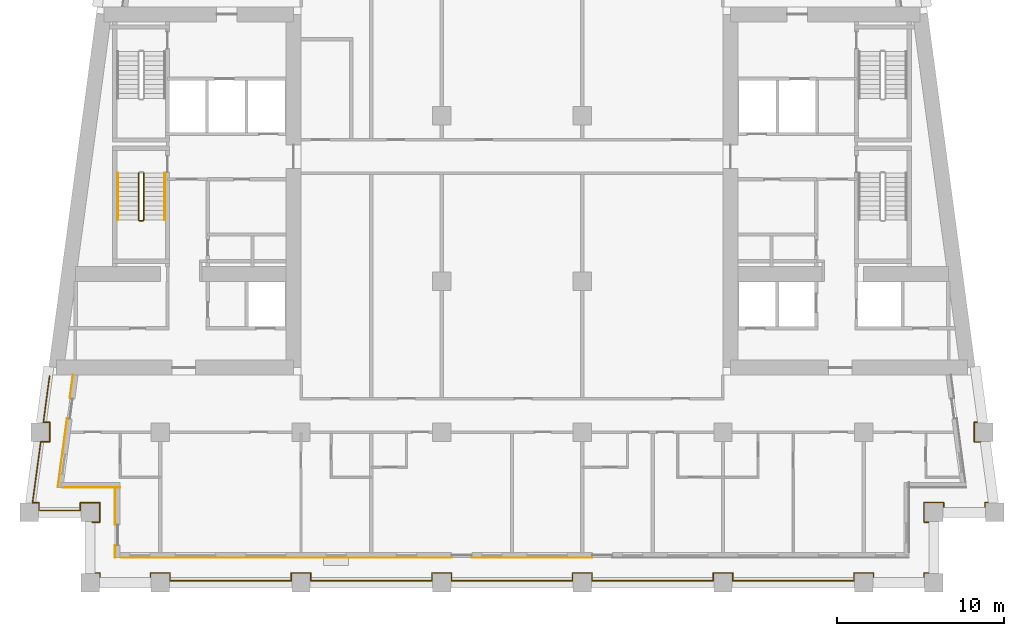
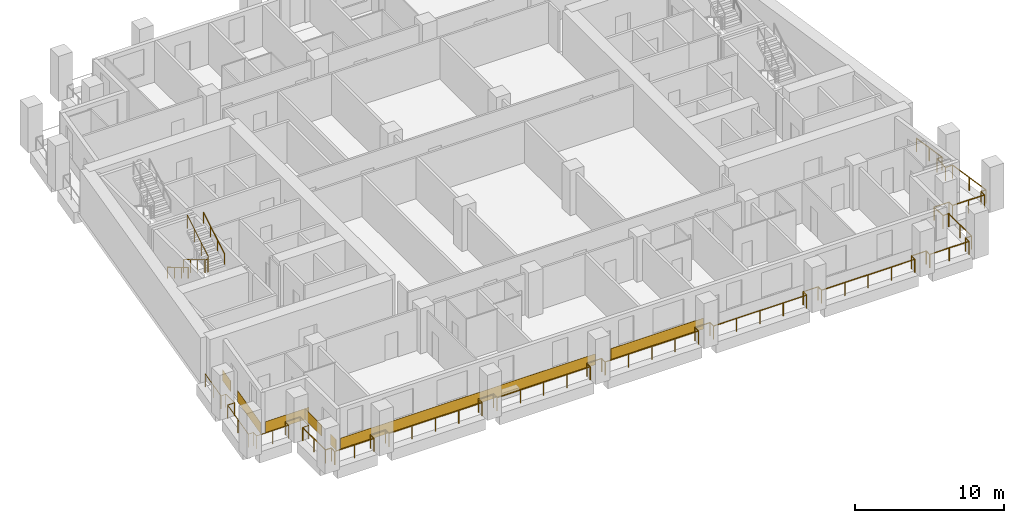
# One storey, part 8 of 12: 7 coverings, 5 railings.
"""IFC4 building model written with IfcOpenShell, lengths in metres."""

from ifc_helpers import new_model, si_unit, direction, frame, origin, origin_2d, place, context, subcontext, project, spatial, rectangle, circle, extrude, material, layer, layer_set, type_object, element, save


model = new_model("IFC4")

# Units and contexts
model_context = context("Model", 3, precision=1e-05, world=origin(), true_north=direction((0.0, 1.0)))
body_context = subcontext(model_context, "Body", "Model", "MODEL_VIEW")
ifc_project = project(units=[si_unit("LENGTHUNIT", "METRE"), si_unit("AREAUNIT", "SQUARE_METRE"), si_unit("VOLUMEUNIT", "CUBIC_METRE"), si_unit("PLANEANGLEUNIT", "RADIAN"), si_unit("MASSUNIT", "GRAM", prefix="KILO")], contexts=[model_context])

# Site, building, storey
site_placement = place(None, origin())
site = spatial("IfcSite", under=ifc_project, at=site_placement, CompositionType="ELEMENT")
building_placement = place(site_placement, origin())
building = spatial("IfcBuilding", under=site, at=building_placement, Name="Candeia Pilgrim Tower and Theatre", CompositionType="ELEMENT")
storey_placement = place(building_placement, frame((0.0, 0.0, 184.800048828125)))
storey = spatial("IfcBuildingStorey", under=building, at=storey_placement, Name="L44", CompositionType="ELEMENT", Elevation=184.800048828125)

# Railings
ifc_material_1 = material(Name="Stainless steel balustrade", Category="steel")
railing_type_1 = type_object("IfcRailingType", Name="G1 loggia guard 1100", PredefinedType="GUARDRAIL", material=ifc_material_1)
railing_1_placement = place(storey_placement, frame((88.320068359375, 101.6201171875, 0.0)))
element("IfcRailing", 1, at=railing_1_placement, inside=storey, type_object=railing_type_1, Name="Guard L44.1", PredefinedType="GUARDRAIL", context=body_context, shape_type="SweptSolid", body=[
    extrude(circle(Radius=0.02392578125, at=origin_2d()), frame((0.0, 0.0, 1.076171875), z_axis=(1.0, 0.0, 0.0), x_axis=(0.0, 1.0, 0.0)), (0.0, 0.0, 1.0), 0.4599609375),
    extrude(circle(Radius=0.02392578125, at=origin_2d()), frame((0.4599609375, 0.0, 1.076171875), z_axis=(0.0, 1.0, 0.0), x_axis=(-1.0, 0.0, 0.0)), (0.0, 0.0, 1.0), 1.159912109375),
    extrude(circle(Radius=0.02392578125, at=origin_2d()), frame((0.4599609375, 1.159912109375, 1.076171875), z_axis=(-1.0, 0.0, 0.0), x_axis=(0.0, -1.0, 0.0)), (0.0, 0.0, 1.0), 1.159912109375),
    extrude(circle(Radius=0.02392578125, at=origin_2d()), frame((-0.699951171875, 1.159912109375, 1.076171875), z_axis=(0.0, -1.0, 0.0), x_axis=(1.0, 0.0, 0.0)), (0.0, 0.0, 1.0), 0.4599609375),
    extrude(circle(Radius=0.02392578125, at=origin_2d()), frame((-0.699951171875, 0.699951171875, 1.076171875), z_axis=(-1.0, 0.0, 0.0), x_axis=(0.0, -1.0, 0.0)), (0.0, 0.0, 1.0), 2.474853515625),
    extrude(circle(Radius=0.02392578125, at=origin_2d()), frame((-3.1748046875, 0.699951171875, 1.076171875), z_axis=(0.0, 1.0, 0.0), x_axis=(-1.0, 0.0, 0.0)), (0.0, 0.0, 1.0), 0.4599609375),
    extrude(circle(Radius=0.02392578125, at=origin_2d()), frame((-3.1748046875, 1.159912109375, 1.076171875), z_axis=(-1.0, 0.0, 0.0), x_axis=(0.0, -1.0, 0.0)), (0.0, 0.0, 1.0), 0.380615234375),
    extrude(circle(Radius=0.02392578125, at=origin_2d()), frame((-3.555419921875, 1.159912109375, 1.076171875), z_axis=(0.133413267734, 0.9910604926, 0.0), x_axis=(-0.9910604926, 0.133413267734, 0.0)), (0.0, 0.0, 1.0), 3.672607421875),
    extrude(circle(Radius=0.02392578125, at=origin_2d()), frame((-3.0654296875, 4.7998046875, 1.076171875), z_axis=(1.0, 0.0, 0.0), x_axis=(0.0, 1.0, 0.0)), (0.0, 0.0, 1.0), 0.536865234375),
    extrude(circle(Radius=0.02392578125, at=origin_2d()), frame((-2.528564453125, 4.7998046875, 1.076171875), z_axis=(0.0, 1.0, 0.0), x_axis=(-1.0, 0.0, 0.0)), (0.0, 0.0, 1.0), 1.16015625),
    extrude(circle(Radius=0.02392578125, at=origin_2d()), frame((-2.528564453125, 5.9599609375, 1.076171875), z_axis=(-1.0, 0.0, 0.0), x_axis=(0.0, -1.0, 0.0)), (0.0, 0.0, 1.0), 0.380859375),
    extrude(circle(Radius=0.02392578125, at=origin_2d()), frame((-2.909423828125, 5.9599609375, 1.076171875), z_axis=(0.133468107709, 0.99105310868, 0.0), x_axis=(-0.99105310868, 0.133468107709, 0.0)), (0.0, 0.0, 1.0), 2.794921875),
    extrude(circle(Radius=0.02099609375, at=origin_2d()), origin(), (0.0, 0.0, 1.0), 1.052001953125),
    extrude(circle(Radius=0.02099609375, at=origin_2d()), frame((0.4599609375, 0.0, 0.0)), (0.0, 0.0, 1.0), 1.052001953125),
    extrude(circle(Radius=0.02099609375, at=origin_2d()), frame((0.4599609375, 1.159912109375, 0.0)), (0.0, 0.0, 1.0), 1.052001953125),
    extrude(circle(Radius=0.02099609375, at=origin_2d()), frame((-0.699951171875, 1.159912109375, 0.0)), (0.0, 0.0, 1.0), 1.052001953125),
    extrude(circle(Radius=0.02099609375, at=origin_2d()), frame((-0.699951171875, 0.699951171875, 0.0)), (0.0, 0.0, 1.0), 1.052001953125),
    extrude(circle(Radius=0.02099609375, at=origin_2d()), frame((-1.9375, 0.699951171875, 0.0)), (0.0, 0.0, 1.0), 1.052001953125),
    extrude(circle(Radius=0.02099609375, at=origin_2d()), frame((-3.1748046875, 0.699951171875, 0.0)), (0.0, 0.0, 1.0), 1.052001953125),
    extrude(circle(Radius=0.02099609375, at=origin_2d()), frame((-3.1748046875, 1.159912109375, 0.0)), (0.0, 0.0, 1.0), 1.052001953125),
    extrude(circle(Radius=0.02099609375, at=origin_2d()), frame((-3.555419921875, 1.159912109375, 0.0)), (0.0, 0.0, 1.0), 1.052001953125),
    extrude(circle(Radius=0.02099609375, at=origin_2d()), frame((-3.310546875, 2.97998046875, 0.0)), (0.0, 0.0, 1.0), 1.052001953125),
    extrude(circle(Radius=0.02099609375, at=origin_2d()), frame((-3.0654296875, 4.7998046875, 0.0)), (0.0, 0.0, 1.0), 1.052001953125),
    extrude(circle(Radius=0.02099609375, at=origin_2d()), frame((-2.528564453125, 4.7998046875, 0.0)), (0.0, 0.0, 1.0), 1.052001953125),
    extrude(circle(Radius=0.02099609375, at=origin_2d()), frame((-2.528564453125, 5.9599609375, 0.0)), (0.0, 0.0, 1.0), 1.052001953125),
    extrude(circle(Radius=0.02099609375, at=origin_2d()), frame((-2.909423828125, 5.9599609375, 0.0)), (0.0, 0.0, 1.0), 1.052001953125),
    extrude(circle(Radius=0.02099609375, at=origin_2d()), frame((-2.722900390625, 7.344970703125, 0.0)), (0.0, 0.0, 1.0), 1.052001953125),
    extrude(circle(Radius=0.02099609375, at=origin_2d()), frame((-2.536376953125, 8.72998046875, 0.0)), (0.0, 0.0, 1.0), 1.052001953125),
])
railing_2_placement = place(storey_placement, frame((141.016357421875, 110.35009765625, 0.0)))
element("IfcRailing", 2, at=railing_2_placement, inside=storey, type_object=railing_type_1, Name="Guard L44.4", PredefinedType="GUARDRAIL", context=body_context, shape_type="SweptSolid", body=[
    extrude(circle(Radius=0.02392578125, at=origin_2d()), frame((0.0, 0.0, 1.076171875), z_axis=(0.133468107709, -0.99105310868, 0.0), x_axis=(0.99105310868, 0.133468107709, 0.0)), (0.0, 0.0, 1.0), 2.794921875),
    extrude(circle(Radius=0.02392578125, at=origin_2d()), frame((0.373046875, -2.77001953125, 1.076171875), z_axis=(-1.0, 0.0, 0.0), x_axis=(0.0, -1.0, 0.0)), (0.0, 0.0, 1.0), 0.380859375),
    extrude(circle(Radius=0.02392578125, at=origin_2d()), frame((-0.0078125, -2.77001953125, 1.076171875), z_axis=(0.0, -1.0, 0.0), x_axis=(1.0, 0.0, 0.0)), (0.0, 0.0, 1.0), 1.16015625),
    extrude(circle(Radius=0.02392578125, at=origin_2d()), frame((-0.0078125, -3.93017578125, 1.076171875), z_axis=(1.0, 0.0, 0.0), x_axis=(0.0, 1.0, 0.0)), (0.0, 0.0, 1.0), 0.536865234375),
    extrude(circle(Radius=0.02392578125, at=origin_2d()), frame((0.529052734375, -3.93017578125, 1.076171875), z_axis=(0.133413267734, -0.9910604926, 0.0), x_axis=(0.9910604926, 0.133413267734, 0.0)), (0.0, 0.0, 1.0), 3.672607421875),
    extrude(circle(Radius=0.02392578125, at=origin_2d()), frame((1.01904296875, -7.570068359375, 1.076171875), z_axis=(-1.0, 0.0, 0.0), x_axis=(0.0, -1.0, 0.0)), (0.0, 0.0, 1.0), 0.380859375),
    extrude(circle(Radius=0.02392578125, at=origin_2d()), frame((0.63818359375, -7.570068359375, 1.076171875), z_axis=(0.0, -1.0, 0.0), x_axis=(1.0, 0.0, 0.0)), (0.0, 0.0, 1.0), 0.4599609375),
    extrude(circle(Radius=0.02392578125, at=origin_2d()), frame((0.63818359375, -8.030029296875, 1.076171875), z_axis=(-1.0, 0.0, 0.0), x_axis=(0.0, -1.0, 0.0)), (0.0, 0.0, 1.0), 2.474609375),
    extrude(circle(Radius=0.02392578125, at=origin_2d()), frame((-1.83642578125, -8.030029296875, 1.076171875), z_axis=(0.0, 1.0, 0.0), x_axis=(-1.0, 0.0, 0.0)), (0.0, 0.0, 1.0), 0.4599609375),
    extrude(circle(Radius=0.02392578125, at=origin_2d()), frame((-1.83642578125, -7.570068359375, 1.076171875), z_axis=(-1.0, 0.0, 0.0), x_axis=(0.0, -1.0, 0.0)), (0.0, 0.0, 1.0), 1.159912109375),
    extrude(circle(Radius=0.02392578125, at=origin_2d()), frame((-2.996337890625, -7.570068359375, 1.076171875), z_axis=(0.0, -1.0, 0.0), x_axis=(1.0, 0.0, 0.0)), (0.0, 0.0, 1.0), 1.159912109375),
    extrude(circle(Radius=0.02392578125, at=origin_2d()), frame((-2.996337890625, -8.72998046875, 1.076171875), z_axis=(1.0, 0.0, 0.0), x_axis=(0.0, 1.0, 0.0)), (0.0, 0.0, 1.0), 0.4599609375),
    extrude(circle(Radius=0.02392578125, at=origin_2d()), frame((-2.536376953125, -8.72998046875, 1.076171875), z_axis=(0.0, -1.0, 0.0), x_axis=(1.0, 0.0, 0.0)), (0.0, 0.0, 1.0), 3.0400390625),
    extrude(circle(Radius=0.02392578125, at=origin_2d()), frame((-2.536376953125, -11.77001953125, 1.076171875), z_axis=(-1.0, 0.0, 0.0), x_axis=(0.0, -1.0, 0.0)), (0.0, 0.0, 1.0), 0.4599609375),
    extrude(circle(Radius=0.02392578125, at=origin_2d()), frame((-2.996337890625, -11.77001953125, 1.076171875), z_axis=(0.0, -1.0, 0.0), x_axis=(1.0, 0.0, 0.0)), (0.0, 0.0, 1.0), 0.4599609375),
    extrude(circle(Radius=0.02392578125, at=origin_2d()), frame((-2.996337890625, -12.22998046875, 1.076171875), z_axis=(-1.0, 0.0, 0.0), x_axis=(0.0, -1.0, 0.0)), (0.0, 0.0, 1.0), 3.0400390625),
    extrude(circle(Radius=0.02392578125, at=origin_2d()), frame((-6.036376953125, -12.22998046875, 1.076171875), z_axis=(0.0, 1.0, 0.0), x_axis=(-1.0, 0.0, 0.0)), (0.0, 0.0, 1.0), 0.4599609375),
    extrude(circle(Radius=0.02392578125, at=origin_2d()), frame((-6.036376953125, -11.77001953125, 1.076171875), z_axis=(-1.0, 0.0, 0.0), x_axis=(0.0, -1.0, 0.0)), (0.0, 0.0, 1.0), 1.159912109375),
    extrude(circle(Radius=0.02392578125, at=origin_2d()), frame((-7.1962890625, -11.77001953125, 1.076171875), z_axis=(0.0, -1.0, 0.0), x_axis=(1.0, 0.0, 0.0)), (0.0, 0.0, 1.0), 0.4599609375),
    extrude(circle(Radius=0.02392578125, at=origin_2d()), frame((-7.1962890625, -12.22998046875, 1.076171875), z_axis=(-1.0, 0.0, 0.0), x_axis=(0.0, -1.0, 0.0)), (0.0, 0.0, 1.0), 7.239990234375),
    extrude(circle(Radius=0.02392578125, at=origin_2d()), frame((-14.436279296875, -12.22998046875, 1.076171875), z_axis=(0.0, 1.0, 0.0), x_axis=(-1.0, 0.0, 0.0)), (0.0, 0.0, 1.0), 0.4599609375),
    extrude(circle(Radius=0.02392578125, at=origin_2d()), frame((-14.436279296875, -11.77001953125, 1.076171875), z_axis=(-1.0, 0.0, 0.0), x_axis=(0.0, -1.0, 0.0)), (0.0, 0.0, 1.0), 1.16015625),
    extrude(circle(Radius=0.02392578125, at=origin_2d()), frame((-15.596435546875, -11.77001953125, 1.076171875), z_axis=(0.0, -1.0, 0.0), x_axis=(1.0, 0.0, 0.0)), (0.0, 0.0, 1.0), 0.4599609375),
    extrude(circle(Radius=0.02392578125, at=origin_2d()), frame((-15.596435546875, -12.22998046875, 1.076171875), z_axis=(-1.0, 0.0, 0.0), x_axis=(0.0, -1.0, 0.0)), (0.0, 0.0, 1.0), 7.239990234375),
    extrude(circle(Radius=0.02392578125, at=origin_2d()), frame((-22.83642578125, -12.22998046875, 1.076171875), z_axis=(0.0, 1.0, 0.0), x_axis=(-1.0, 0.0, 0.0)), (0.0, 0.0, 1.0), 0.4599609375),
    extrude(circle(Radius=0.02392578125, at=origin_2d()), frame((-22.83642578125, -11.77001953125, 1.076171875), z_axis=(-1.0, 0.0, 0.0), x_axis=(0.0, -1.0, 0.0)), (0.0, 0.0, 1.0), 1.159912109375),
    extrude(circle(Radius=0.02392578125, at=origin_2d()), frame((-23.996337890625, -11.77001953125, 1.076171875), z_axis=(0.0, -1.0, 0.0), x_axis=(1.0, 0.0, 0.0)), (0.0, 0.0, 1.0), 0.4599609375),
    extrude(circle(Radius=0.02392578125, at=origin_2d()), frame((-23.996337890625, -12.22998046875, 1.076171875), z_axis=(-1.0, 0.0, 0.0), x_axis=(0.0, -1.0, 0.0)), (0.0, 0.0, 1.0), 7.239990234375),
    extrude(circle(Radius=0.02392578125, at=origin_2d()), frame((-31.236328125, -12.22998046875, 1.076171875), z_axis=(0.0, 1.0, 0.0), x_axis=(-1.0, 0.0, 0.0)), (0.0, 0.0, 1.0), 0.4599609375),
    extrude(circle(Radius=0.02392578125, at=origin_2d()), frame((-31.236328125, -11.77001953125, 1.076171875), z_axis=(-1.0, 0.0, 0.0), x_axis=(0.0, -1.0, 0.0)), (0.0, 0.0, 1.0), 1.159912109375),
    extrude(circle(Radius=0.02392578125, at=origin_2d()), frame((-32.396240234375, -11.77001953125, 1.076171875), z_axis=(0.0, -1.0, 0.0), x_axis=(1.0, 0.0, 0.0)), (0.0, 0.0, 1.0), 0.4599609375),
    extrude(circle(Radius=0.02392578125, at=origin_2d()), frame((-32.396240234375, -12.22998046875, 1.076171875), z_axis=(-1.0, 0.0, 0.0), x_axis=(0.0, -1.0, 0.0)), (0.0, 0.0, 1.0), 7.240234375),
    extrude(circle(Radius=0.02392578125, at=origin_2d()), frame((-39.636474609375, -12.22998046875, 1.076171875), z_axis=(0.0, 1.0, 0.0), x_axis=(-1.0, 0.0, 0.0)), (0.0, 0.0, 1.0), 0.4599609375),
    extrude(circle(Radius=0.02392578125, at=origin_2d()), frame((-39.636474609375, -11.77001953125, 1.076171875), z_axis=(-1.0, 0.0, 0.0), x_axis=(0.0, -1.0, 0.0)), (0.0, 0.0, 1.0), 1.159912109375),
    extrude(circle(Radius=0.02392578125, at=origin_2d()), frame((-40.79638671875, -11.77001953125, 1.076171875), z_axis=(0.0, -1.0, 0.0), x_axis=(1.0, 0.0, 0.0)), (0.0, 0.0, 1.0), 0.4599609375),
    extrude(circle(Radius=0.02392578125, at=origin_2d()), frame((-40.79638671875, -12.22998046875, 1.076171875), z_axis=(-1.0, 0.0, 0.0), x_axis=(0.0, -1.0, 0.0)), (0.0, 0.0, 1.0), 7.239990234375),
    extrude(circle(Radius=0.02392578125, at=origin_2d()), frame((-48.036376953125, -12.22998046875, 1.076171875), z_axis=(0.0, 1.0, 0.0), x_axis=(-1.0, 0.0, 0.0)), (0.0, 0.0, 1.0), 0.4599609375),
    extrude(circle(Radius=0.02392578125, at=origin_2d()), frame((-48.036376953125, -11.77001953125, 1.076171875), z_axis=(-1.0, 0.0, 0.0), x_axis=(0.0, -1.0, 0.0)), (0.0, 0.0, 1.0), 1.159912109375),
    extrude(circle(Radius=0.02392578125, at=origin_2d()), frame((-49.1962890625, -11.77001953125, 1.076171875), z_axis=(0.0, -1.0, 0.0), x_axis=(1.0, 0.0, 0.0)), (0.0, 0.0, 1.0), 0.4599609375),
    extrude(circle(Radius=0.02392578125, at=origin_2d()), frame((-49.1962890625, -12.22998046875, 1.076171875), z_axis=(-1.0, 0.0, 0.0), x_axis=(0.0, -1.0, 0.0)), (0.0, 0.0, 1.0), 3.0400390625),
    extrude(circle(Radius=0.02392578125, at=origin_2d()), frame((-52.236328125, -12.22998046875, 1.076171875), z_axis=(0.0, 1.0, 0.0), x_axis=(-1.0, 0.0, 0.0)), (0.0, 0.0, 1.0), 0.4599609375),
    extrude(circle(Radius=0.02392578125, at=origin_2d()), frame((-52.236328125, -11.77001953125, 1.076171875), z_axis=(-1.0, 0.0, 0.0), x_axis=(0.0, -1.0, 0.0)), (0.0, 0.0, 1.0), 0.4599609375),
    extrude(circle(Radius=0.02392578125, at=origin_2d()), frame((-52.6962890625, -11.77001953125, 1.076171875), z_axis=(0.0, 1.0, 0.0), x_axis=(-1.0, 0.0, 0.0)), (0.0, 0.0, 1.0), 3.0400390625),
    extrude(circle(Radius=0.02099609375, at=origin_2d()), origin(), (0.0, 0.0, 1.0), 1.052001953125),
    extrude(circle(Radius=0.02099609375, at=origin_2d()), frame((0.1865234375, -1.385009765625, 0.0)), (0.0, 0.0, 1.0), 1.052001953125),
    extrude(circle(Radius=0.02099609375, at=origin_2d()), frame((0.373046875, -2.77001953125, 0.0)), (0.0, 0.0, 1.0), 1.052001953125),
    extrude(circle(Radius=0.02099609375, at=origin_2d()), frame((-0.0078125, -2.77001953125, 0.0)), (0.0, 0.0, 1.0), 1.052001953125),
    extrude(circle(Radius=0.02099609375, at=origin_2d()), frame((-0.0078125, -3.93017578125, 0.0)), (0.0, 0.0, 1.0), 1.052001953125),
    extrude(circle(Radius=0.02099609375, at=origin_2d()), frame((0.529052734375, -3.93017578125, 0.0)), (0.0, 0.0, 1.0), 1.052001953125),
    extrude(circle(Radius=0.02099609375, at=origin_2d()), frame((0.77392578125, -5.75, 0.0)), (0.0, 0.0, 1.0), 1.052001953125),
    extrude(circle(Radius=0.02099609375, at=origin_2d()), frame((1.01904296875, -7.570068359375, 0.0)), (0.0, 0.0, 1.0), 1.052001953125),
    extrude(circle(Radius=0.02099609375, at=origin_2d()), frame((0.63818359375, -7.570068359375, 0.0)), (0.0, 0.0, 1.0), 1.052001953125),
    extrude(circle(Radius=0.02099609375, at=origin_2d()), frame((0.63818359375, -8.030029296875, 0.0)), (0.0, 0.0, 1.0), 1.052001953125),
    extrude(circle(Radius=0.02099609375, at=origin_2d()), frame((-0.59912109375, -8.030029296875, 0.0)), (0.0, 0.0, 1.0), 1.052001953125),
    extrude(circle(Radius=0.02099609375, at=origin_2d()), frame((-1.83642578125, -8.030029296875, 0.0)), (0.0, 0.0, 1.0), 1.052001953125),
    extrude(circle(Radius=0.02099609375, at=origin_2d()), frame((-1.83642578125, -7.570068359375, 0.0)), (0.0, 0.0, 1.0), 1.052001953125),
    extrude(circle(Radius=0.02099609375, at=origin_2d()), frame((-2.996337890625, -7.570068359375, 0.0)), (0.0, 0.0, 1.0), 1.052001953125),
    extrude(circle(Radius=0.02099609375, at=origin_2d()), frame((-2.996337890625, -8.72998046875, 0.0)), (0.0, 0.0, 1.0), 1.052001953125),
    extrude(circle(Radius=0.02099609375, at=origin_2d()), frame((-2.536376953125, -8.72998046875, 0.0)), (0.0, 0.0, 1.0), 1.052001953125),
    extrude(circle(Radius=0.02099609375, at=origin_2d()), frame((-2.536376953125, -10.25, 0.0)), (0.0, 0.0, 1.0), 1.052001953125),
    extrude(circle(Radius=0.02099609375, at=origin_2d()), frame((-2.536376953125, -11.77001953125, 0.0)), (0.0, 0.0, 1.0), 1.052001953125),
    extrude(circle(Radius=0.02099609375, at=origin_2d()), frame((-2.996337890625, -11.77001953125, 0.0)), (0.0, 0.0, 1.0), 1.052001953125),
    extrude(circle(Radius=0.02099609375, at=origin_2d()), frame((-2.996337890625, -12.22998046875, 0.0)), (0.0, 0.0, 1.0), 1.052001953125),
    extrude(circle(Radius=0.02099609375, at=origin_2d()), frame((-4.516357421875, -12.22998046875, 0.0)), (0.0, 0.0, 1.0), 1.052001953125),
    extrude(circle(Radius=0.02099609375, at=origin_2d()), frame((-6.036376953125, -12.22998046875, 0.0)), (0.0, 0.0, 1.0), 1.052001953125),
    extrude(circle(Radius=0.02099609375, at=origin_2d()), frame((-6.036376953125, -11.77001953125, 0.0)), (0.0, 0.0, 1.0), 1.052001953125),
    extrude(circle(Radius=0.02099609375, at=origin_2d()), frame((-7.1962890625, -11.77001953125, 0.0)), (0.0, 0.0, 1.0), 1.052001953125),
    extrude(circle(Radius=0.02099609375, at=origin_2d()), frame((-7.1962890625, -12.22998046875, 0.0)), (0.0, 0.0, 1.0), 1.052001953125),
    extrude(circle(Radius=0.02099609375, at=origin_2d()), frame((-9.00634765625, -12.22998046875, 0.0)), (0.0, 0.0, 1.0), 1.052001953125),
    extrude(circle(Radius=0.02099609375, at=origin_2d()), frame((-10.81640625, -12.22998046875, 0.0)), (0.0, 0.0, 1.0), 1.052001953125),
    extrude(circle(Radius=0.02099609375, at=origin_2d()), frame((-12.626220703125, -12.22998046875, 0.0)), (0.0, 0.0, 1.0), 1.052001953125),
    extrude(circle(Radius=0.02099609375, at=origin_2d()), frame((-14.436279296875, -12.22998046875, 0.0)), (0.0, 0.0, 1.0), 1.052001953125),
    extrude(circle(Radius=0.02099609375, at=origin_2d()), frame((-14.436279296875, -11.77001953125, 0.0)), (0.0, 0.0, 1.0), 1.052001953125),
    extrude(circle(Radius=0.02099609375, at=origin_2d()), frame((-15.596435546875, -11.77001953125, 0.0)), (0.0, 0.0, 1.0), 1.052001953125),
    extrude(circle(Radius=0.02099609375, at=origin_2d()), frame((-15.596435546875, -12.22998046875, 0.0)), (0.0, 0.0, 1.0), 1.052001953125),
    extrude(circle(Radius=0.02099609375, at=origin_2d()), frame((-17.406494140625, -12.22998046875, 0.0)), (0.0, 0.0, 1.0), 1.052001953125),
    extrude(circle(Radius=0.02099609375, at=origin_2d()), frame((-19.21630859375, -12.22998046875, 0.0)), (0.0, 0.0, 1.0), 1.052001953125),
    extrude(circle(Radius=0.02099609375, at=origin_2d()), frame((-21.0263671875, -12.22998046875, 0.0)), (0.0, 0.0, 1.0), 1.052001953125),
    extrude(circle(Radius=0.02099609375, at=origin_2d()), frame((-22.83642578125, -12.22998046875, 0.0)), (0.0, 0.0, 1.0), 1.052001953125),
    extrude(circle(Radius=0.02099609375, at=origin_2d()), frame((-22.83642578125, -11.77001953125, 0.0)), (0.0, 0.0, 1.0), 1.052001953125),
    extrude(circle(Radius=0.02099609375, at=origin_2d()), frame((-23.996337890625, -11.77001953125, 0.0)), (0.0, 0.0, 1.0), 1.052001953125),
    extrude(circle(Radius=0.02099609375, at=origin_2d()), frame((-23.996337890625, -12.22998046875, 0.0)), (0.0, 0.0, 1.0), 1.052001953125),
    extrude(circle(Radius=0.02099609375, at=origin_2d()), frame((-25.806396484375, -12.22998046875, 0.0)), (0.0, 0.0, 1.0), 1.052001953125),
    extrude(circle(Radius=0.02099609375, at=origin_2d()), frame((-27.6162109375, -12.22998046875, 0.0)), (0.0, 0.0, 1.0), 1.052001953125),
    extrude(circle(Radius=0.02099609375, at=origin_2d()), frame((-29.42626953125, -12.22998046875, 0.0)), (0.0, 0.0, 1.0), 1.052001953125),
    extrude(circle(Radius=0.02099609375, at=origin_2d()), frame((-31.236328125, -12.22998046875, 0.0)), (0.0, 0.0, 1.0), 1.052001953125),
    extrude(circle(Radius=0.02099609375, at=origin_2d()), frame((-31.236328125, -11.77001953125, 0.0)), (0.0, 0.0, 1.0), 1.052001953125),
    extrude(circle(Radius=0.02099609375, at=origin_2d()), frame((-32.396240234375, -11.77001953125, 0.0)), (0.0, 0.0, 1.0), 1.052001953125),
    extrude(circle(Radius=0.02099609375, at=origin_2d()), frame((-32.396240234375, -12.22998046875, 0.0)), (0.0, 0.0, 1.0), 1.052001953125),
    extrude(circle(Radius=0.02099609375, at=origin_2d()), frame((-34.206298828125, -12.22998046875, 0.0)), (0.0, 0.0, 1.0), 1.052001953125),
    extrude(circle(Radius=0.02099609375, at=origin_2d()), frame((-36.016357421875, -12.22998046875, 0.0)), (0.0, 0.0, 1.0), 1.052001953125),
    extrude(circle(Radius=0.02099609375, at=origin_2d()), frame((-37.826416015625, -12.22998046875, 0.0)), (0.0, 0.0, 1.0), 1.052001953125),
    extrude(circle(Radius=0.02099609375, at=origin_2d()), frame((-39.636474609375, -12.22998046875, 0.0)), (0.0, 0.0, 1.0), 1.052001953125),
    extrude(circle(Radius=0.02099609375, at=origin_2d()), frame((-39.636474609375, -11.77001953125, 0.0)), (0.0, 0.0, 1.0), 1.052001953125),
    extrude(circle(Radius=0.02099609375, at=origin_2d()), frame((-40.79638671875, -11.77001953125, 0.0)), (0.0, 0.0, 1.0), 1.052001953125),
    extrude(circle(Radius=0.02099609375, at=origin_2d()), frame((-40.79638671875, -12.22998046875, 0.0)), (0.0, 0.0, 1.0), 1.052001953125),
    extrude(circle(Radius=0.02099609375, at=origin_2d()), frame((-42.6064453125, -12.22998046875, 0.0)), (0.0, 0.0, 1.0), 1.052001953125),
    extrude(circle(Radius=0.02099609375, at=origin_2d()), frame((-44.41650390625, -12.22998046875, 0.0)), (0.0, 0.0, 1.0), 1.052001953125),
    extrude(circle(Radius=0.02099609375, at=origin_2d()), frame((-46.226318359375, -12.22998046875, 0.0)), (0.0, 0.0, 1.0), 1.052001953125),
    extrude(circle(Radius=0.02099609375, at=origin_2d()), frame((-48.036376953125, -12.22998046875, 0.0)), (0.0, 0.0, 1.0), 1.052001953125),
    extrude(circle(Radius=0.02099609375, at=origin_2d()), frame((-48.036376953125, -11.77001953125, 0.0)), (0.0, 0.0, 1.0), 1.052001953125),
    extrude(circle(Radius=0.02099609375, at=origin_2d()), frame((-49.1962890625, -11.77001953125, 0.0)), (0.0, 0.0, 1.0), 1.052001953125),
    extrude(circle(Radius=0.02099609375, at=origin_2d()), frame((-49.1962890625, -12.22998046875, 0.0)), (0.0, 0.0, 1.0), 1.052001953125),
    extrude(circle(Radius=0.02099609375, at=origin_2d()), frame((-50.71630859375, -12.22998046875, 0.0)), (0.0, 0.0, 1.0), 1.052001953125),
    extrude(circle(Radius=0.02099609375, at=origin_2d()), frame((-52.236328125, -12.22998046875, 0.0)), (0.0, 0.0, 1.0), 1.052001953125),
    extrude(circle(Radius=0.02099609375, at=origin_2d()), frame((-52.236328125, -11.77001953125, 0.0)), (0.0, 0.0, 1.0), 1.052001953125),
    extrude(circle(Radius=0.02099609375, at=origin_2d()), frame((-52.6962890625, -11.77001953125, 0.0)), (0.0, 0.0, 1.0), 1.052001953125),
    extrude(circle(Radius=0.02099609375, at=origin_2d()), frame((-52.6962890625, -10.25, 0.0)), (0.0, 0.0, 1.0), 1.052001953125),
    extrude(circle(Radius=0.02099609375, at=origin_2d()), frame((-52.6962890625, -8.72998046875, 0.0)), (0.0, 0.0, 1.0), 1.052001953125),
])

# Coverings
ifc_material_2 = material(Name="Glazed ceramic tile rust")
ifc_layer = layer(ifc_material_2, 0.02001953125)
ifc_layer_set = layer_set([ifc_layer], Name="Glazed ceramic tile rust")
covering_type = type_object("IfcCoveringType", Name="Glazed ceramic tile rust", PredefinedType="CLADDING", material=ifc_layer_set)
covering_1_placement = place(storey_placement, frame((99.909912109375, 99.489990234375, 0.0), z_axis=(0.0, 0.0, 1.0), x_axis=(1.0, 0.0, 0.0)))
element("IfcCovering", 3, at=covering_1_placement, inside=storey, type_object=covering_type, Name="Tile cladding rust L44", PredefinedType="CLADDING", context=body_context, shape_type="SweptSolid", body=[
    extrude(rectangle(XDim=19.780029296875, YDim=0.02001953125, at=origin_2d()), origin(), (0.0, 0.0, 1.0), 0.89990234375),
])
covering_2_placement = place(storey_placement, frame((114.60009765625, 99.489990234375, 0.0), z_axis=(0.0, 0.0, 1.0), x_axis=(1.0, 0.0, 0.0)))
element("IfcCovering", 4, at=covering_2_placement, inside=storey, type_object=covering_type, Name="Tile cladding rust L44", PredefinedType="CLADDING", context=body_context, shape_type="SweptSolid", body=[
    extrude(rectangle(XDim=7.199951171875, YDim=0.02001953125, at=origin_2d()), origin(), (0.0, 0.0, 1.0), 0.89990234375),
])
covering_3_placement = place(storey_placement, frame((87.0810546875, 109.71875, 0.0), z_axis=(0.0, 0.0, 1.0), x_axis=(-0.133412012145, -0.991060661622, 0.0)))
element("IfcCovering", 5, at=covering_3_placement, inside=storey, type_object=covering_type, Name="Tile cladding rust L44", PredefinedType="CLADDING", context=body_context, shape_type="SweptSolid", body=[
    extrude(rectangle(XDim=1.41796875, YDim=0.02001953125, at=origin_2d()), origin(), (0.0, 0.0, 1.0), 0.89990234375),
])
covering_4_placement = place(storey_placement, frame((86.548583984375, 105.763916015625, 0.0), z_axis=(0.0, 0.0, 1.0), x_axis=(-0.133412012145, -0.991060661622, 0.0)))
element("IfcCovering", 6, at=covering_4_placement, inside=storey, type_object=covering_type, Name="Tile cladding rust L44", PredefinedType="CLADDING", context=body_context, shape_type="SweptSolid", body=[
    extrude(rectangle(XDim=4.16259765625, YDim=0.02001953125, at=origin_2d()), origin(), (0.0, 0.0, 1.0), 0.89990234375),
])
covering_5_placement = place(storey_placement, frame((88.311279296875, 103.68994140625, 0.0), z_axis=(0.0, 0.0, 1.0), x_axis=(1.0, 0.0, 0.0)))
element("IfcCovering", 7, at=covering_5_placement, inside=storey, type_object=covering_type, Name="Tile cladding rust L44", PredefinedType="CLADDING", context=body_context, shape_type="SweptSolid", body=[
    extrude(rectangle(XDim=3.377685546875, YDim=0.02001953125, at=origin_2d()), origin(), (0.0, 0.0, 1.0), 0.89990234375),
])
covering_6_placement = place(storey_placement, frame((89.68994140625, 102.56494140625, 0.0), z_axis=(0.0, 0.0, 1.0), x_axis=(0.0, -1.0, 0.0)))
element("IfcCovering", 8, at=covering_6_placement, inside=storey, type_object=covering_type, Name="Tile cladding rust L44", PredefinedType="CLADDING", context=body_context, shape_type="SweptSolid", body=[
    extrude(rectangle(XDim=2.22998046875, YDim=0.02001953125, at=origin_2d()), origin(), (0.0, 0.0, 1.0), 0.89990234375),
])
covering_7_placement = place(storey_placement, frame((89.68994140625, 99.875, 0.0), z_axis=(0.0, 0.0, 1.0), x_axis=(0.0, -1.0, 0.0)))
element("IfcCovering", 9, at=covering_7_placement, inside=storey, type_object=covering_type, Name="Tile cladding rust L44", PredefinedType="CLADDING", context=body_context, shape_type="SweptSolid", body=[
    extrude(rectangle(XDim=0.75, YDim=0.02001953125, at=origin_2d()), origin(), (0.0, 0.0, 1.0), 0.89990234375),
])

# Railings
railing_type_2 = type_object("IfcRailingType", Name="RL-GUARD-1100", PredefinedType="GUARDRAIL", material=ifc_material_1)
railing_3_placement = place(storey_placement, frame((91.10205078125, 122.47509765625, 0.168212890625)))
element("IfcRailing", 10, at=railing_3_placement, inside=storey, type_object=railing_type_2, Name="L44 ST1 stair guard 1", PredefinedType="GUARDRAIL", context=body_context, shape_type="SweptSolid", body=[
    extrude(circle(Radius=0.02392578125, at=origin_2d()), frame((0.0, 0.0, 1.076171875), z_axis=(0.0, -0.857275202839, 0.514858452973), x_axis=(1.0, 0.0, 0.0)), (0.0, 0.0, 1.0), 3.26611328125),
    extrude(circle(Radius=0.02392578125, at=origin_2d()), frame((0.0, -2.800048828125, 2.7578125), z_axis=(0.707106781187, -0.707106781187, 0.0), x_axis=(0.707106781187, 0.707106781187, 0.0)), (0.0, 0.0, 1.0), 0.07080078125),
    extrude(circle(Radius=0.02392578125, at=origin_2d()), frame((0.050048828125, -2.85009765625, 2.7578125), z_axis=(1.0, 0.0, 0.0), x_axis=(0.0, 1.0, 0.0)), (0.0, 0.0, 1.0), 0.199951171875),
    extrude(circle(Radius=0.02392578125, at=origin_2d()), frame((0.25, -2.85009765625, 2.7578125), z_axis=(0.274243871929, 0.274243871929, 0.92172696468), x_axis=(-0.707106781187, 0.707106781187, 0.0)), (0.0, 0.0, 1.0), 0.1826171875),
    extrude(circle(Radius=0.02392578125, at=origin_2d()), frame((0.300048828125, -2.800048828125, 2.92578125), z_axis=(0.0, 0.857242210791, 0.514913383045), x_axis=(-1.0, 0.0, 0.0)), (0.0, 0.0, 1.0), 3.266357421875),
    extrude(circle(Radius=0.02099609375, at=origin_2d()), origin(), (0.0, 0.0, 1.0), 1.052001953125),
    extrude(circle(Radius=0.02099609375, at=origin_2d()), frame((0.0, -0.933349609375, 0.560546875)), (0.0, 0.0, 1.0), 1.052001953125),
    extrude(circle(Radius=0.02099609375, at=origin_2d()), frame((0.0, -1.86669921875, 1.12109375)), (0.0, 0.0, 1.0), 1.052001953125),
    extrude(circle(Radius=0.02099609375, at=origin_2d()), frame((0.0, -2.800048828125, 1.681640625)), (0.0, 0.0, 1.0), 1.052001953125),
    extrude(circle(Radius=0.02099609375, at=origin_2d()), frame((0.050048828125, -2.85009765625, 1.681640625)), (0.0, 0.0, 1.0), 1.052001953125),
    extrude(circle(Radius=0.02099609375, at=origin_2d()), frame((0.25, -2.85009765625, 1.681640625)), (0.0, 0.0, 1.0), 1.052001953125),
    extrude(circle(Radius=0.02099609375, at=origin_2d()), frame((0.300048828125, -2.800048828125, 1.849853515625)), (0.0, 0.0, 1.0), 1.052001953125),
    extrude(circle(Radius=0.02099609375, at=origin_2d()), frame((0.300048828125, -1.86669921875, 2.410400390625)), (0.0, 0.0, 1.0), 1.052001953125),
    extrude(circle(Radius=0.02099609375, at=origin_2d()), frame((0.300048828125, -0.933349609375, 2.97119140625)), (0.0, 0.0, 1.0), 1.052001953125),
    extrude(circle(Radius=0.02099609375, at=origin_2d()), frame((0.300048828125, 0.0, 3.53173828125)), (0.0, 0.0, 1.0), 1.052001953125),
])
ifc_material_3 = material(Name="Stainless steel handrail", Category="steel")
railing_type_3 = type_object("IfcRailingType", Name="RL-HANDRAIL-900", PredefinedType="HANDRAIL", material=ifc_material_3)
railing_4_placement = place(storey_placement, frame((89.85205078125, 122.47509765625, 0.168212890625)))
element("IfcRailing", 11, at=railing_4_placement, inside=storey, type_object=railing_type_3, Name="L44 ST1 stair handrail 1", PredefinedType="HANDRAIL", context=body_context, shape_type="SweptSolid", body=[
    extrude(circle(Radius=0.02392578125, at=origin_2d()), frame((0.0, 0.0, 0.8759765625), z_axis=(0.0, -0.857275202839, 0.514858452973), x_axis=(1.0, 0.0, 0.0)), (0.0, 0.0, 1.0), 3.26611328125),
    extrude(circle(Radius=0.02099609375, at=origin_2d()), origin(), (0.0, 0.0, 1.0), 0.851806640625),
    extrude(circle(Radius=0.02099609375, at=origin_2d()), frame((0.0, -0.933349609375, 0.560546875)), (0.0, 0.0, 1.0), 0.851806640625),
    extrude(circle(Radius=0.02099609375, at=origin_2d()), frame((0.0, -1.86669921875, 1.12109375)), (0.0, 0.0, 1.0), 0.851806640625),
    extrude(circle(Radius=0.02099609375, at=origin_2d()), frame((0.0, -2.800048828125, 1.681640625)), (0.0, 0.0, 1.0), 0.851806640625),
])
railing_5_placement = place(storey_placement, frame((92.652099609375, 119.675048828125, 2.01806640625)))
element("IfcRailing", 12, at=railing_5_placement, inside=storey, type_object=railing_type_3, Name="L44 ST1 stair handrail 2", PredefinedType="HANDRAIL", context=body_context, shape_type="SweptSolid", body=[
    extrude(circle(Radius=0.02392578125, at=origin_2d()), frame((0.0, 0.0, 0.8759765625), z_axis=(0.0, 0.857242210791, 0.514913383045), x_axis=(-1.0, 0.0, 0.0)), (0.0, 0.0, 1.0), 3.266357421875),
    extrude(circle(Radius=0.02099609375, at=origin_2d()), origin(), (0.0, 0.0, 1.0), 0.851806640625),
    extrude(circle(Radius=0.02099609375, at=origin_2d()), frame((0.0, 0.933349609375, 0.560546875)), (0.0, 0.0, 1.0), 0.851806640625),
    extrude(circle(Radius=0.02099609375, at=origin_2d()), frame((0.0, 1.86669921875, 1.121337890625)), (0.0, 0.0, 1.0), 0.851806640625),
    extrude(circle(Radius=0.02099609375, at=origin_2d()), frame((0.0, 2.800048828125, 1.681884765625)), (0.0, 0.0, 1.0), 0.851806640625),
])

save(model, "model.ifc")
